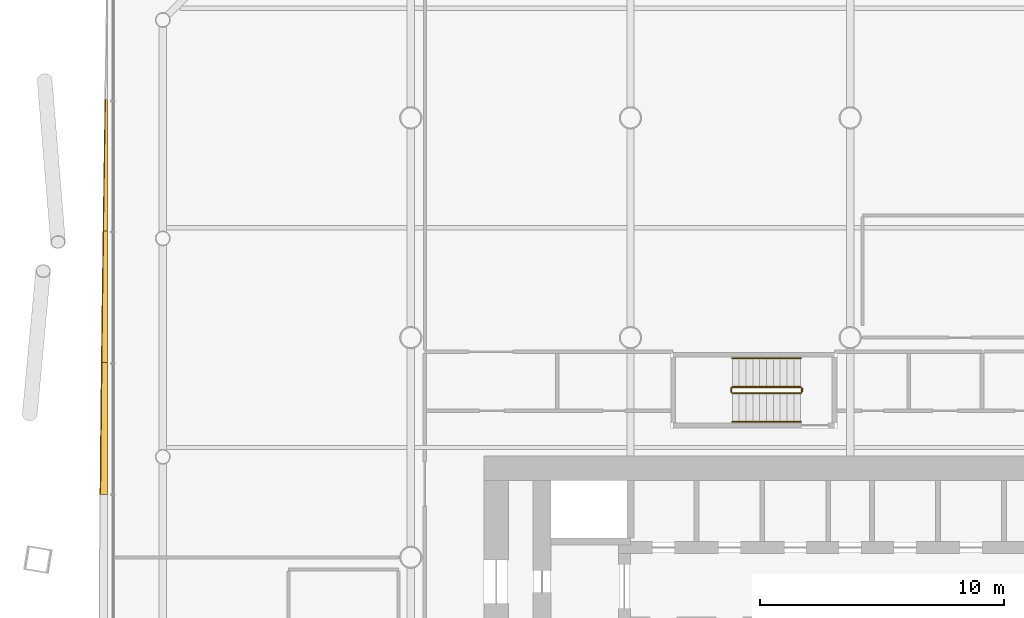
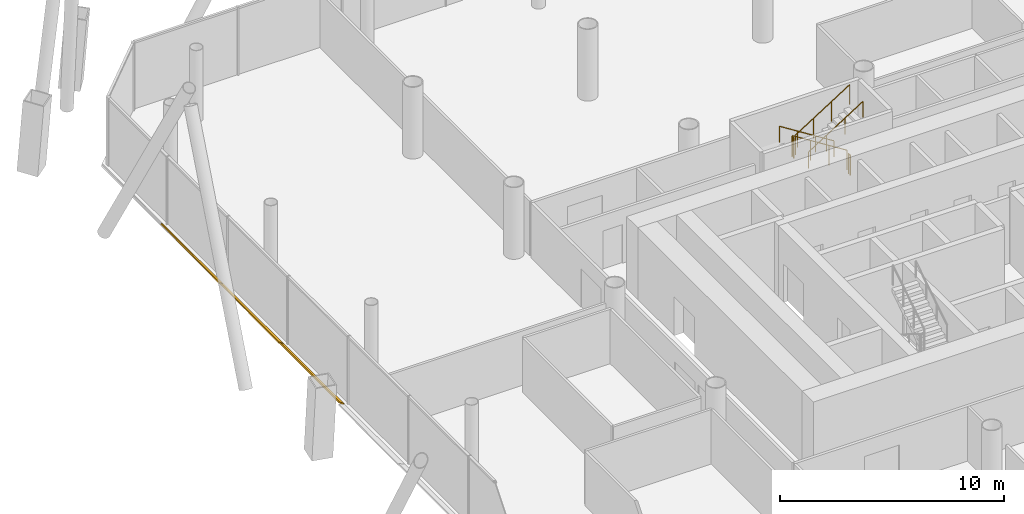
# One storey, part 24 of 25: 6 railings, 3 shading devices.
"""IFC4 building model written with IfcOpenShell, lengths in metres."""

import ifcopenshell
import ifcopenshell.guid

model = None  # the IFC model being written
_history = None  # IfcOwnerHistory: only IFC2X3 demands one
_inside = {}  # id of a spatial element -> (the spatial element, [elements in it])
_under = {}  # id of a project, library or spatial element -> (it, [spatial elements below it])
_declared = {}  # id of a project -> (the project, [libraries it declares])
_typed = {}  # id of a type object -> (the type object, [elements of that type])
_made_of = {}  # id of a material, layer set ... -> (it, [elements and type objects made of it])


def new_model(schema):
    """Start an empty IFC model of exactly this schema.

    Asked for "IFC4X3", IfcOpenShell would pick the latest addendum, in which some entities
    have other attributes; the version numbers below select the first issue.
    IFC2X3 requires an IfcOwnerHistory on every rooted entity: one is made here for all.
    """
    global model, _history
    if schema == "IFC4X3":
        model = ifcopenshell.file(schema_version=(4, 3, 0, 0))
    else:
        model = ifcopenshell.file(schema=schema)
    _inside.clear()
    _under.clear()
    _declared.clear()
    _typed.clear()
    _made_of.clear()
    _history = None
    if model.schema == "IFC2X3":
        org = make("IfcOrganization", Name="unknown")
        user = make(
            "IfcPersonAndOrganization",
            ThePerson=make("IfcPerson", FamilyName="unknown"),
            TheOrganization=org,
        )
        app = make(
            "IfcApplication",
            ApplicationDeveloper=org,
            Version="unknown",
            ApplicationFullName="unknown",
            ApplicationIdentifier="unknown",
        )
        _history = make(
            "IfcOwnerHistory",
            OwningUser=user,
            OwningApplication=app,
            ChangeAction="ADDED",
            CreationDate=0,
        )
    return model


def make(cls, **values):
    """One entity of the class cls with the attributes given. An attribute that is None is left unset."""
    return model.create_entity(
        cls, **{name: value for name, value in values.items() if value is not None}
    )


def rooted(cls, **values):
    """An entity with a GlobalId (a new one), such as an element, a storey or a relation."""
    return make(cls, GlobalId=ifcopenshell.guid.new(), OwnerHistory=_history, **values)


def si_unit(unit_type, name, prefix=None):
    """IfcSIUnit, for example si_unit("LENGTHUNIT", "METRE", prefix="MILLI")."""
    return make("IfcSIUnit", UnitType=unit_type, Prefix=prefix, Name=name)


def assignment(units):
    """IfcUnitAssignment: the units of a project."""
    return None if units is None else make("IfcUnitAssignment", Units=units)


def point(xyz):
    """IfcCartesianPoint."""
    return None if xyz is None else make("IfcCartesianPoint", Coordinates=xyz)


def direction(xyz):
    """IfcDirection."""
    return None if xyz is None else make("IfcDirection", DirectionRatios=xyz)


def frame(location, z_axis=None, x_axis=None):
    """IfcAxis2Placement3D, a coordinate frame: its origin and axes. An axis left out is left unset."""
    return make(
        "IfcAxis2Placement3D",
        Location=point(location),
        Axis=direction(z_axis),
        RefDirection=direction(x_axis),
    )


def frame_2d(location, x_axis=None):
    """IfcAxis2Placement2D, a coordinate frame in the plane: its origin and x axis."""
    return make(
        "IfcAxis2Placement2D", Location=point(location), RefDirection=direction(x_axis)
    )


def origin():
    """The frame at (0, 0, 0) with its axes left unset."""
    return frame((0.0, 0.0, 0.0))


def origin_2d():
    """The frame at (0, 0) in the plane with its x axis left unset."""
    return frame_2d((0.0, 0.0))


def place(relative_to, where):
    """IfcLocalPlacement: puts the frame where relative to a parent placement (None: the world)."""
    return make(
        "IfcLocalPlacement", PlacementRelTo=relative_to, RelativePlacement=where
    )


def context(
    kind, dimensions, precision=None, world=None, true_north=None, identifier=None
):
    """IfcGeometricRepresentationContext, for example the 3D "Model" context."""
    return make(
        "IfcGeometricRepresentationContext",
        ContextIdentifier=identifier,
        ContextType=kind,
        CoordinateSpaceDimension=dimensions,
        Precision=precision,
        WorldCoordinateSystem=world,
        TrueNorth=true_north,
    )


def subcontext(parent, identifier, kind, view, scale=None):
    """IfcGeometricRepresentationSubContext, for example "Body" below "Model"."""
    return make(
        "IfcGeometricRepresentationSubContext",
        ContextIdentifier=identifier,
        ContextType=kind,
        ParentContext=parent,
        TargetScale=scale,
        TargetView=view,
    )


def project(units=None, contexts=None):
    """IfcProject with its units and contexts."""
    return rooted(
        "IfcProject",
        Name="project",
        RepresentationContexts=contexts,
        UnitsInContext=assignment(units),
    )


def spatial(cls, under=None, at=None, **own):
    """A site, building, storey or space (cls), placed at a placement, below another one or the project."""
    s = rooted(cls, ObjectPlacement=at, **own)
    if under is not None:
        _under.setdefault(under.id(), (under, []))[1].append(s)
    return s


def polyline(points):
    """IfcPolyline through the points."""
    return make("IfcPolyline", Points=[point(p) for p in points])


def profile(cls, at=None, kind="AREA", **sizes):
    """A parametric profile (cls). Its sizes go by their IFC names, for example OverallWidth=200.0."""
    return make(cls, ProfileType=kind, Position=at, **sizes)


def circle(**sizes):
    """IfcCircleProfileDef."""
    return profile("IfcCircleProfileDef", **sizes)


def outline(outer, holes=None, kind="AREA"):
    """IfcArbitraryClosedProfileDef: a profile drawn as a closed curve; with holes, ...WithVoids."""
    if holes is None:
        return make("IfcArbitraryClosedProfileDef", ProfileType=kind, OuterCurve=outer)
    return make(
        "IfcArbitraryProfileDefWithVoids",
        ProfileType=kind,
        OuterCurve=outer,
        InnerCurves=holes,
    )


def extrude(swept, where, along, depth):
    """IfcExtrudedAreaSolid: the profile swept, set in the frame where, extruded along a direction by depth."""
    return make(
        "IfcExtrudedAreaSolid",
        SweptArea=swept,
        Position=where,
        ExtrudedDirection=direction(along),
        Depth=depth,
    )


def shape(context_of_items, identifier, shape_type, items):
    """IfcShapeRepresentation: the items that make up one representation, for example the "Body"."""
    return make(
        "IfcShapeRepresentation",
        ContextOfItems=context_of_items,
        RepresentationIdentifier=identifier,
        RepresentationType=shape_type,
        Items=items,
    )


def material(Name=None, Category=None):
    """IfcMaterial."""
    return make("IfcMaterial", Name=Name, Category=Category)


def layer(
    of_material, thickness, ventilated=None, Name=None, Category=None, Priority=None
):
    """IfcMaterialLayer: one layer of a wall or slab, of a material (None: an air gap)."""
    return make(
        "IfcMaterialLayer",
        Material=of_material,
        LayerThickness=thickness,
        IsVentilated=ventilated,
        Name=Name,
        Category=Category,
        Priority=Priority,
    )


def layer_set(layers, Name=None):
    """IfcMaterialLayerSet."""
    return make("IfcMaterialLayerSet", MaterialLayers=layers, LayerSetName=Name)


def made_of(thing, what):
    """Note that an element or type object is made of a material, layer set ...; save() writes the relation."""
    if what is not None:
        _made_of.setdefault(what.id(), (what, []))[1].append(thing)
    return thing


def type_object(cls, material=None, **own):
    """A type object (cls), such as IfcWallType, which elements share."""
    return made_of(rooted(cls, **own), material)


def element(
    cls,
    number,
    at=None,
    inside=None,
    cuts=None,
    type_object=None,
    material=None,
    context=None,
    identifier="Body",
    shape_type=None,
    held_by="IfcProductDefinitionShape",
    body=None,
    shapes=None,
    **own,
):
    """One element of the class cls, such as IfcWall. Its Tag is "e" and its number.

    at: its placement. inside: the storey or other place that contains it. cuts: it is an
    opening in that element (IfcRelVoidsElement). A single representation is given by context,
    identifier, shape_type and body (its items); several are given by shapes. held_by: the class
    of the entity that holds the representations. save() writes the other relations.
    """
    e = rooted(cls, Tag="e%d" % number, ObjectPlacement=at, **own)
    if body is not None:
        shapes = [shape(context, identifier, shape_type, body)]
    if shapes is not None:
        e.Representation = make(held_by, Representations=shapes)
    if inside is not None:
        _inside.setdefault(inside.id(), (inside, []))[1].append(e)
    if cuts is not None:
        rooted(
            "IfcRelVoidsElement", RelatingBuildingElement=cuts, RelatedOpeningElement=e
        )
    if type_object is not None:
        _typed.setdefault(type_object.id(), (type_object, []))[1].append(e)
    return made_of(e, material)


def aggregate(whole, parts):
    """IfcRelAggregates: a whole, such as a stair, and the parts it consists of."""
    return rooted("IfcRelAggregates", RelatingObject=whole, RelatedObjects=parts)


def save(model, path):
    """Write the relations noted so far, then the file.

    IfcRelAggregates (storeys below a building ...), IfcRelContainedInSpatialStructure (elements
    in a storey), IfcRelDefinesByType, IfcRelAssociatesMaterial and IfcRelDeclares: one each for
    every whole, place, type object, material and project.
    """
    for whole, parts in _under.values():
        aggregate(whole, parts)
    for where, things in _inside.values():
        rooted(
            "IfcRelContainedInSpatialStructure",
            RelatedElements=things,
            RelatingStructure=where,
        )
    for kind, things in _typed.values():
        rooted("IfcRelDefinesByType", RelatedObjects=things, RelatingType=kind)
    for what, things in _made_of.values():
        rooted("IfcRelAssociatesMaterial", RelatedObjects=things, RelatingMaterial=what)
    for by, libraries in _declared.values():
        rooted("IfcRelDeclares", RelatingContext=by, RelatedDefinitions=libraries)
    model.write(path)


model = new_model("IFC4")

# Units and contexts
model_context = context("Model", 3, precision=1e-05, world=origin(), true_north=direction((0.0, 1.0)))
body_context = subcontext(model_context, "Body", "Model", "MODEL_VIEW")
ifc_project = project(units=[si_unit("LENGTHUNIT", "METRE"), si_unit("AREAUNIT", "SQUARE_METRE"), si_unit("VOLUMEUNIT", "CUBIC_METRE"), si_unit("PLANEANGLEUNIT", "RADIAN"), si_unit("MASSUNIT", "GRAM", prefix="KILO")], contexts=[model_context])

# Site, building, storey
site_placement = place(None, origin())
site = spatial("IfcSite", under=ifc_project, at=site_placement, CompositionType="ELEMENT")
building_placement = place(site_placement, origin())
building = spatial("IfcBuilding", under=site, at=building_placement, Name="Tskaro Facet Tower", CompositionType="ELEMENT")
storey_placement = place(building_placement, frame((0.0, 0.0, 22.5)))
storey = spatial("IfcBuildingStorey", under=building, at=storey_placement, Name="L04", CompositionType="ELEMENT", Elevation=22.5)

# Shading devices
ifc_material_1 = material(Name="Bronze anodised aluminium 6063-T6", Category="aluminium")
ifc_layer = layer(ifc_material_1, 0.06005859375, Name="Bronze anodised aluminium 6063-T6")
ifc_layer_set = layer_set([ifc_layer], Name="Bronze anodised aluminium 6063-T6")
shading_device_type = type_object("IfcShadingDeviceType", Name="Bronze sun blade (FN1)", PredefinedType="USERDEFINED", material=ifc_layer_set)
shading_device_1_placement = place(storey_placement, frame((-30.422119140625, 18.772216796875, 0.052001953125), z_axis=(0.500370246615, -1.0478851e-05, 0.865811536186), x_axis=(-5.243306e-06, -0.999999999945, -9.072711e-06)))
element("IfcShadingDevice", 1, at=shading_device_1_placement, inside=storey, type_object=shading_device_type, Name="Fin blade west 2", ObjectType="FIN", PredefinedType="USERDEFINED", context=body_context, shape_type="SweptSolid", body=[
    extrude(outline(polyline([(0.0, 0.0), (5.397460937203663, -4.571827245580584e-21), (5.397460937762261, -0.19086893956720263), (4.722900389730623, -0.17993759304883367), (4.048095702008913, -0.16867270605612972), (3.3735351571272063, -0.15728565835867897), (2.698730468125392, -0.1458093915963868), (2.023925781338595, -0.13421096412934788), (1.3493652338966804, -0.12240115689272076), (0.6745605480447964, -0.11046918895134683), (-6.772219771667558e-10, -0.0984480019451315), (0.0, 0.0)])), origin(), (0.0, 0.0, -1.0), 0.06005859375),
])
shading_device_2_placement = place(storey_placement, frame((-30.41748046875, 13.374755859375, 0.049072265625), z_axis=(0.573566347471, 2.871006e-06, 0.819159108501), x_axis=(1.646712e-06, -0.999999999996, 2.351811e-06)))
element("IfcShadingDevice", 2, at=shading_device_2_placement, inside=storey, type_object=shading_device_type, Name="Fin blade west 3", ObjectType="FIN", PredefinedType="USERDEFINED", context=body_context, shape_type="SweptSolid", body=[
    extrude(outline(polyline([(0.0, 0.0), (5.397705078102755, 0.0), (5.3977050782850196, -0.28765121840794455), (4.7231445314738005, -0.27783083838535194), (4.04833984386544, -0.26767043749948344), (3.3735351562570806, -0.25751003661361493), (2.698974609503605, -0.2468096248477458), (2.0241699215509583, -0.23596918223532548), (1.3496093746253406, -0.22492874960618048), (0.6748046874767528, -0.21368832696031076), (1.5602189964278725e-10, -0.20210788345116512), (0.0, 0.0)])), origin(), (0.0, 0.0, -1.0), 0.06005859375),
])
shading_device_3_placement = place(storey_placement, frame((-30.413330078125, 7.97705078125, 0.0458984375), z_axis=(0.642847193188, -6.167152e-06, 0.765994442651), x_axis=(-3.964537e-06, -0.999999999981, -4.724004e-06)))
element("IfcShadingDevice", 3, at=shading_device_3_placement, inside=storey, type_object=shading_device_type, Name="Fin blade west 4", ObjectType="FIN", PredefinedType="USERDEFINED", context=body_context, shape_type="SweptSolid", body=[
    extrude(outline(polyline([(0.0, 0.0), (5.397705078022352, 2.286017020366861e-21), (5.397705078257633, -0.38020542248376304), (4.722900390792604, -0.372234316008215), (4.0483398441379865, -0.3639192540551607), (3.3735351558904703, -0.35541718174012726), (2.698974609606687, -0.34641420883206037), (2.0241699217300044, -0.3372242255620145), (1.349365234038739, -0.3276902868144622), (0.6748046871578858, -0.3178123925894037), (-1.6254590453006327e-10, -0.3075905428868389), (0.0, 0.0)])), origin(), (0.0, 0.0, -1.0), 0.06005859375),
])

# Railings
ifc_material_2 = material(Name="Stainless steel", Category="steel")
railing_type_1 = type_object("IfcRailingType", Name="RL-GUARD-1100", PredefinedType="GUARDRAIL", material=ifc_material_2)
railing_1_placement = place(storey_placement, frame((-2.02490234375, 6.97509765625, 0.17724609375)))
element("IfcRailing", 4, at=railing_1_placement, inside=storey, type_object=railing_type_1, Name="L04 ST-3 stair guard 1", PredefinedType="GUARDRAIL", context=body_context, shape_type="SweptSolid", body=[
    extrude(circle(Radius=0.02392578125, at=origin_2d()), frame((0.0, 0.0, 1.076171875), z_axis=(-0.844908973607, 0.0, 0.534910110503), x_axis=(0.0, -1.0, 0.0)), (0.0, 0.0, 1.0), 3.31396484375),
    extrude(circle(Radius=0.02099609375, at=origin_2d()), origin(), (0.0, 0.0, 1.0), 1.052001953125),
    extrude(circle(Radius=0.02099609375, at=origin_2d()), frame((-0.933349609375, 0.0, 0.5908203125)), (0.0, 0.0, 1.0), 1.052001953125),
    extrude(circle(Radius=0.02099609375, at=origin_2d()), frame((-1.86669921875, 0.0, 1.181884765625)), (0.0, 0.0, 1.0), 1.052001953125),
    extrude(circle(Radius=0.02099609375, at=origin_2d()), frame((-2.800048828125, 0.0, 1.772705078125)), (0.0, 0.0, 1.0), 1.052001953125),
])
railing_2_placement = place(storey_placement, frame((-4.875, 6.925048828125, 1.949951171875)))
element("IfcRailing", 5, at=railing_2_placement, inside=storey, type_object=railing_type_1, Name="L04 ST-3 stair guard 2", PredefinedType="GUARDRAIL", context=body_context, shape_type="SweptSolid", body=[
    extrude(circle(Radius=0.02392578125, at=origin_2d()), frame((0.0, 0.0, 1.076171875), z_axis=(0.0, -1.0, 0.0), x_axis=(1.0, 0.0, 0.0)), (0.0, 0.0, 1.0), 0.150146484375),
    extrude(circle(Radius=0.02099609375, at=origin_2d()), origin(), (0.0, 0.0, 1.0), 1.052001953125),
    extrude(circle(Radius=0.02099609375, at=origin_2d()), frame((0.0, -0.150146484375, 0.0)), (0.0, 0.0, 1.0), 1.052001953125),
])
railing_3_placement = place(storey_placement, frame((-4.824951171875, 6.72509765625, 2.127197265625)))
element("IfcRailing", 6, at=railing_3_placement, inside=storey, type_object=railing_type_1, Name="L04 ST-3 stair guard 3", PredefinedType="GUARDRAIL", context=body_context, shape_type="SweptSolid", body=[
    extrude(circle(Radius=0.02392578125, at=origin_2d()), frame((0.0, 0.0, 1.076171875), z_axis=(0.844908973607, 0.0, 0.534910110503), x_axis=(0.0, 1.0, 0.0)), (0.0, 0.0, 1.0), 3.31396484375),
    extrude(circle(Radius=0.02099609375, at=origin_2d()), origin(), (0.0, 0.0, 1.0), 1.052001953125),
    extrude(circle(Radius=0.02099609375, at=origin_2d()), frame((0.933349609375, 0.0, 0.5908203125)), (0.0, 0.0, 1.0), 1.052001953125),
    extrude(circle(Radius=0.02099609375, at=origin_2d()), frame((1.86669921875, 0.0, 1.181884765625)), (0.0, 0.0, 1.0), 1.052001953125),
    extrude(circle(Radius=0.02099609375, at=origin_2d()), frame((2.800048828125, 0.0, 1.772705078125)), (0.0, 0.0, 1.0), 1.052001953125),
])
railing_4_placement = place(storey_placement, frame((-1.97509765625, 6.925048828125, 0.0)))
element("IfcRailing", 7, at=railing_4_placement, inside=storey, type_object=railing_type_1, Name="L04 ST-3 stair guard 4", PredefinedType="GUARDRAIL", context=body_context, shape_type="SweptSolid", body=[
    extrude(circle(Radius=0.02392578125, at=origin_2d()), frame((0.0, 0.0, 1.076171875), z_axis=(0.0, -1.0, 0.0), x_axis=(1.0, 0.0, 0.0)), (0.0, 0.0, 1.0), 0.150146484375),
    extrude(circle(Radius=0.02099609375, at=origin_2d()), origin(), (0.0, 0.0, 1.0), 1.052001953125),
    extrude(circle(Radius=0.02099609375, at=origin_2d()), frame((0.0, -0.150146484375, 0.0)), (0.0, 0.0, 1.0), 1.052001953125),
])
railing_type_2 = type_object("IfcRailingType", Name="RL-HANDRAIL-900", PredefinedType="HANDRAIL", material=ifc_material_2)
railing_5_placement = place(storey_placement, frame((-2.02490234375, 8.14990234375, 0.17724609375)))
element("IfcRailing", 8, at=railing_5_placement, inside=storey, type_object=railing_type_2, Name="L04 ST-3 stair handrail 1", PredefinedType="HANDRAIL", context=body_context, shape_type="SweptSolid", body=[
    extrude(circle(Radius=0.02392578125, at=origin_2d()), frame((0.0, 0.0, 0.8759765625), z_axis=(-0.844908973607, 0.0, 0.534910110503), x_axis=(0.0, -1.0, 0.0)), (0.0, 0.0, 1.0), 3.31396484375),
    extrude(circle(Radius=0.02099609375, at=origin_2d()), origin(), (0.0, 0.0, 1.0), 0.851806640625),
    extrude(circle(Radius=0.02099609375, at=origin_2d()), frame((-0.933349609375, 0.0, 0.5908203125)), (0.0, 0.0, 1.0), 0.851806640625),
    extrude(circle(Radius=0.02099609375, at=origin_2d()), frame((-1.86669921875, 0.0, 1.181884765625)), (0.0, 0.0, 1.0), 0.851806640625),
    extrude(circle(Radius=0.02099609375, at=origin_2d()), frame((-2.800048828125, 0.0, 1.772705078125)), (0.0, 0.0, 1.0), 0.851806640625),
])
railing_6_placement = place(storey_placement, frame((-4.824951171875, 5.550048828125, 2.127197265625)))
element("IfcRailing", 9, at=railing_6_placement, inside=storey, type_object=railing_type_2, Name="L04 ST-3 stair handrail 2", PredefinedType="HANDRAIL", context=body_context, shape_type="SweptSolid", body=[
    extrude(circle(Radius=0.02392578125, at=origin_2d()), frame((0.0, 0.0, 0.8759765625), z_axis=(0.844908973607, 0.0, 0.534910110503), x_axis=(0.0, 1.0, 0.0)), (0.0, 0.0, 1.0), 3.31396484375),
    extrude(circle(Radius=0.02099609375, at=origin_2d()), origin(), (0.0, 0.0, 1.0), 0.851806640625),
    extrude(circle(Radius=0.02099609375, at=origin_2d()), frame((0.933349609375, 0.0, 0.5908203125)), (0.0, 0.0, 1.0), 0.851806640625),
    extrude(circle(Radius=0.02099609375, at=origin_2d()), frame((1.86669921875, 0.0, 1.181884765625)), (0.0, 0.0, 1.0), 0.851806640625),
    extrude(circle(Radius=0.02099609375, at=origin_2d()), frame((2.800048828125, 0.0, 1.772705078125)), (0.0, 0.0, 1.0), 0.851806640625),
])

save(model, "model.ifc")
